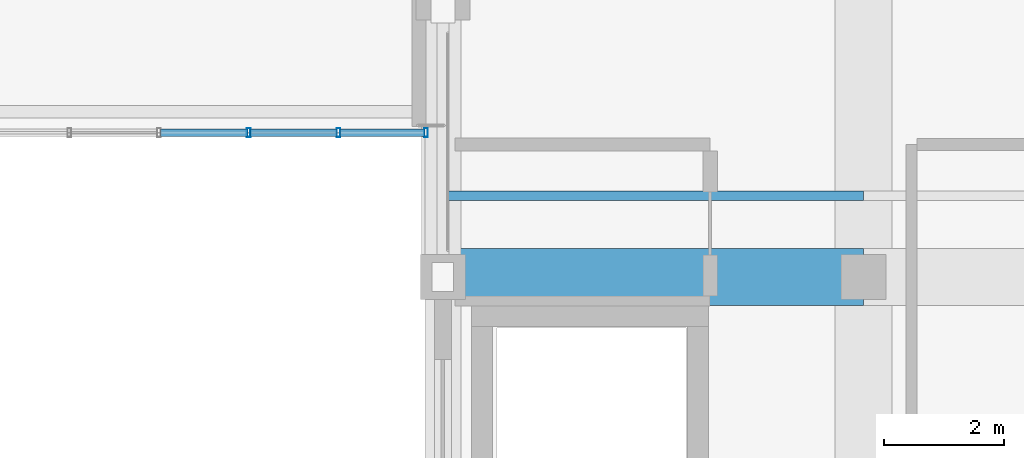
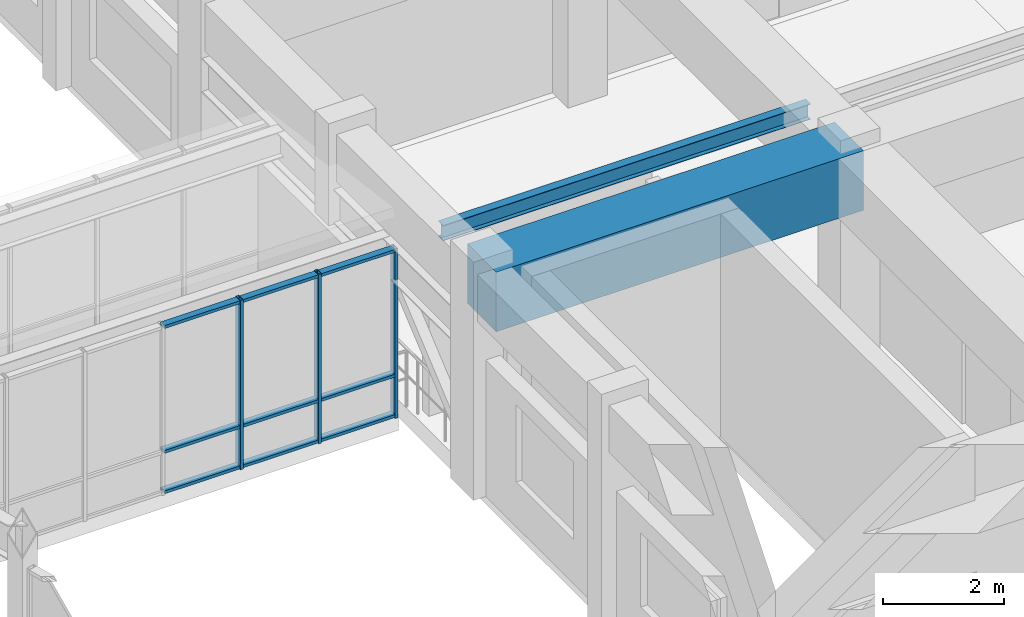
# One storey, part 45 of 99: 13 members, 1 beam, 1 element without a shape of its own.
"""IFC4 building model written with IfcOpenShell, lengths in metres."""

from ifc_helpers import new_model, si_unit, direction, frame, origin, origin_2d, place, context, subcontext, project, spatial, rectangle, hollow_rectangle, i_section, extrude, material, layer, layer_set, material_profile, profile_set, type_object, element, aggregate, save


model = new_model("IFC4")

# Units and contexts
model_context = context("Model", 3, precision=1e-05, world=origin(), true_north=direction((0.0, 1.0)))
body_context = subcontext(model_context, "Body", "Model", "MODEL_VIEW")
ifc_project = project(units=[si_unit("LENGTHUNIT", "METRE"), si_unit("AREAUNIT", "SQUARE_METRE"), si_unit("VOLUMEUNIT", "CUBIC_METRE"), si_unit("PLANEANGLEUNIT", "RADIAN"), si_unit("MASSUNIT", "GRAM", prefix="KILO")], contexts=[model_context])

# Site, building, storey
site_placement = place(None, origin())
site = spatial("IfcSite", under=ifc_project, at=site_placement, CompositionType="ELEMENT")
building_placement = place(site_placement, origin())
building = spatial("IfcBuilding", under=site, at=building_placement, Name="Ventoquebrada Cableway Terminal", CompositionType="ELEMENT")
storey_placement = place(building_placement, frame((0.0, 0.0, 9.60009765625)))
storey = spatial("IfcBuildingStorey", under=building, at=storey_placement, Name="L02", CompositionType="ELEMENT", Elevation=9.60009765625)

# Beam
ifc_material_1 = material(Name="Concrete C40/50", Category="concrete")
ifc_material_profile_1 = material_profile(ifc_material_1, rectangle(XDim=0.949951171875, YDim=1.199951171875, at=origin_2d()), Name="RC-BM-950X1200")
ifc_profile_set_1 = profile_set([ifc_material_profile_1], Name="Concrete C40/50")
beam_type = type_object("IfcBeamType", Name="BM-RC06", PredefinedType="BEAM", material=ifc_profile_set_1)
beam_placement = place(storey_placement, frame((95.0, 86.0, 3.929931640625), z_axis=(1.0, 0.0, 0.0), x_axis=(0.0, 1.0, 0.0)))
element("IfcBeam", 1, at=beam_placement, inside=storey, type_object=beam_type, Name="Primary frame girder FBM-0668", PredefinedType="BEAM", context=body_context, shape_type="SweptSolid", body=[
    extrude(rectangle(XDim=0.949951171875, YDim=1.199951171875, at=origin_2d()), origin(), (0.0, 0.0, 1.0), 7.0),
])

# Curtain wall, members
ifc_material_2 = material(Name="Anodized thermally-broken aluminium", Category="aluminium")
ifc_layer = layer(ifc_material_2, 0.159912109375)
ifc_layer_set = layer_set([ifc_layer], Name="Anodized thermally-broken aluminium")
curtain_wall_type = type_object("IfcCurtainWallType", Name="CW-T54", PredefinedType="USERDEFINED", material=ifc_layer_set)
curtain_wall_placement = place(storey_placement, origin())
curtain_wall = element("IfcCurtainWall", 2, at=curtain_wall_placement, inside=storey, type_object=curtain_wall_type, Name="Unitised glazed curtain wall CW-173", ObjectType="UNITISED CURTAIN WALL", PredefinedType="USERDEFINED")
ifc_material_profile_2 = material_profile(ifc_material_2, hollow_rectangle(XDim=0.06005859375, YDim=0.14990234375, WallThickness=0.00390625, at=origin_2d()), Name="CW-MUL-60X150")
ifc_profile_set_2 = profile_set([ifc_material_profile_2], Name="Anodized thermally-broken aluminium")
member_type_1 = type_object("IfcMemberType", Name="CWM-03", PredefinedType="MULLION", material=ifc_profile_set_2)
member_1_placement = place(storey_placement, frame((91.76904296875, 88.39990234375, -0.008056640625), z_axis=(0.0, 0.0, 1.0), x_axis=(1.0, 0.0, 0.0)))
member_1 = element("IfcMember", 3, at=member_1_placement, type_object=member_type_1, Name="Curtain wall mullion FML-0866", PredefinedType="MULLION", context=body_context, shape_type="SweptSolid", body=[
    extrude(hollow_rectangle(XDim=0.06005859375, YDim=0.14990234375, WallThickness=0.00390625, at=origin_2d()), origin(), (0.0, 0.0, 1.0), 3.412841796875),
])
member_2_placement = place(storey_placement, frame((93.261962890625, 88.39990234375, -0.008056640625), z_axis=(0.0, 0.0, 1.0), x_axis=(1.0, 0.0, 0.0)))
member_2 = element("IfcMember", 4, at=member_2_placement, type_object=member_type_1, Name="Curtain wall mullion FML-0867", PredefinedType="MULLION", context=body_context, shape_type="SweptSolid", body=[
    extrude(hollow_rectangle(XDim=0.06005859375, YDim=0.14990234375, WallThickness=0.00390625, at=origin_2d()), origin(), (0.0, 0.0, 1.0), 3.412841796875),
])
member_3_placement = place(storey_placement, frame((94.719970703125, 88.39990234375, -0.008056640625), z_axis=(0.0, 0.0, 1.0), x_axis=(1.0, 0.0, 0.0)))
member_3 = element("IfcMember", 5, at=member_3_placement, type_object=member_type_1, Name="Curtain wall mullion FML-0868", PredefinedType="MULLION", context=body_context, shape_type="SweptSolid", body=[
    extrude(hollow_rectangle(XDim=0.06005859375, YDim=0.14990234375, WallThickness=0.00390625, at=origin_2d()), origin(), (0.0, 0.0, 1.0), 3.412841796875),
])
ifc_material_profile_3 = material_profile(ifc_material_2, hollow_rectangle(XDim=0.06005859375, YDim=0.1298828125, WallThickness=0.00390625, at=origin_2d()), Name="CW-TRN-60X130")
ifc_profile_set_3 = profile_set([ifc_material_profile_3], Name="Anodized thermally-broken aluminium")
member_type_2 = type_object("IfcMemberType", Name="CWT-02", PredefinedType="USERDEFINED", material=ifc_profile_set_3)
member_4_placement = place(storey_placement, frame((90.301025390625, 88.39990234375, 0.034912109375), z_axis=(1.0, 0.0, 0.0), x_axis=(0.0, 0.0, 1.0)))
member_4 = element("IfcMember", 6, at=member_4_placement, type_object=member_type_2, Name="Curtain wall transom FTR-2525", ObjectType="TRANSOM", PredefinedType="USERDEFINED", context=body_context, shape_type="SweptSolid", body=[
    extrude(hollow_rectangle(XDim=0.06005859375, YDim=0.1298828125, WallThickness=0.00390625, at=origin_2d()), origin(), (0.0, 0.0, 1.0), 1.44287109375),
])
member_5_placement = place(storey_placement, frame((90.301025390625, 88.39990234375, 0.849853515625), z_axis=(1.0, 0.0, 0.0), x_axis=(0.0, 0.0, 1.0)))
member_5 = element("IfcMember", 7, at=member_5_placement, type_object=member_type_2, Name="Curtain wall transom FTR-2526", ObjectType="TRANSOM", PredefinedType="USERDEFINED", context=body_context, shape_type="SweptSolid", body=[
    extrude(hollow_rectangle(XDim=0.06005859375, YDim=0.1298828125, WallThickness=0.00390625, at=origin_2d()), origin(), (0.0, 0.0, 1.0), 1.44287109375),
])
member_6_placement = place(storey_placement, frame((90.301025390625, 88.39990234375, 3.364990234375), z_axis=(1.0, 0.0, 0.0), x_axis=(0.0, 0.0, 1.0)))
member_6 = element("IfcMember", 8, at=member_6_placement, type_object=member_type_2, Name="Curtain wall transom FTR-2527", ObjectType="TRANSOM", PredefinedType="USERDEFINED", context=body_context, shape_type="SweptSolid", body=[
    extrude(hollow_rectangle(XDim=0.06005859375, YDim=0.1298828125, WallThickness=0.00390625, at=origin_2d()), origin(), (0.0, 0.0, 1.0), 1.44287109375),
])
member_7_placement = place(storey_placement, frame((91.7939453125, 88.39990234375, 0.034912109375), z_axis=(1.0, 0.0, 0.0), x_axis=(0.0, 0.0, 1.0)))
member_7 = element("IfcMember", 9, at=member_7_placement, type_object=member_type_2, Name="Curtain wall transom FTR-2528", ObjectType="TRANSOM", PredefinedType="USERDEFINED", context=body_context, shape_type="SweptSolid", body=[
    extrude(hollow_rectangle(XDim=0.06005859375, YDim=0.1298828125, WallThickness=0.00390625, at=origin_2d()), origin(), (0.0, 0.0, 1.0), 1.443115234375),
])
member_8_placement = place(storey_placement, frame((91.7939453125, 88.39990234375, 0.849853515625), z_axis=(1.0, 0.0, 0.0), x_axis=(0.0, 0.0, 1.0)))
member_8 = element("IfcMember", 10, at=member_8_placement, type_object=member_type_2, Name="Curtain wall transom FTR-2529", ObjectType="TRANSOM", PredefinedType="USERDEFINED", context=body_context, shape_type="SweptSolid", body=[
    extrude(hollow_rectangle(XDim=0.06005859375, YDim=0.1298828125, WallThickness=0.00390625, at=origin_2d()), origin(), (0.0, 0.0, 1.0), 1.443115234375),
])
member_9_placement = place(storey_placement, frame((91.7939453125, 88.39990234375, 3.364990234375), z_axis=(1.0, 0.0, 0.0), x_axis=(0.0, 0.0, 1.0)))
member_9 = element("IfcMember", 11, at=member_9_placement, type_object=member_type_2, Name="Curtain wall transom FTR-2530", ObjectType="TRANSOM", PredefinedType="USERDEFINED", context=body_context, shape_type="SweptSolid", body=[
    extrude(hollow_rectangle(XDim=0.06005859375, YDim=0.1298828125, WallThickness=0.00390625, at=origin_2d()), origin(), (0.0, 0.0, 1.0), 1.443115234375),
])
member_10_placement = place(storey_placement, frame((93.287109375, 88.39990234375, 0.034912109375), z_axis=(1.0, 0.0, 0.0), x_axis=(0.0, 0.0, 1.0)))
member_10 = element("IfcMember", 12, at=member_10_placement, type_object=member_type_2, Name="Curtain wall transom FTR-2531", ObjectType="TRANSOM", PredefinedType="USERDEFINED", context=body_context, shape_type="SweptSolid", body=[
    extrude(hollow_rectangle(XDim=0.06005859375, YDim=0.1298828125, WallThickness=0.00390625, at=origin_2d()), origin(), (0.0, 0.0, 1.0), 1.407958984375),
])
member_11_placement = place(storey_placement, frame((93.287109375, 88.39990234375, 0.849853515625), z_axis=(1.0, 0.0, 0.0), x_axis=(0.0, 0.0, 1.0)))
member_11 = element("IfcMember", 13, at=member_11_placement, type_object=member_type_2, Name="Curtain wall transom FTR-2532", ObjectType="TRANSOM", PredefinedType="USERDEFINED", context=body_context, shape_type="SweptSolid", body=[
    extrude(hollow_rectangle(XDim=0.06005859375, YDim=0.1298828125, WallThickness=0.00390625, at=origin_2d()), origin(), (0.0, 0.0, 1.0), 1.407958984375),
])
member_12_placement = place(storey_placement, frame((93.287109375, 88.39990234375, 3.364990234375), z_axis=(1.0, 0.0, 0.0), x_axis=(0.0, 0.0, 1.0)))
member_12 = element("IfcMember", 14, at=member_12_placement, type_object=member_type_2, Name="Curtain wall transom FTR-2533", ObjectType="TRANSOM", PredefinedType="USERDEFINED", context=body_context, shape_type="SweptSolid", body=[
    extrude(hollow_rectangle(XDim=0.06005859375, YDim=0.1298828125, WallThickness=0.00390625, at=origin_2d()), origin(), (0.0, 0.0, 1.0), 1.407958984375),
])
aggregate(curtain_wall, [member_1, member_2, member_3, member_4, member_5, member_6, member_7, member_8, member_9, member_10, member_11, member_12])

# Member
ifc_material_3 = material(Name="Steel ASTM A992 Grade 50", Category="steel")
ifc_material_profile_4 = material_profile(ifc_material_3, i_section(OverallWidth=0.1650390625, OverallDepth=0.31005859375, WebThickness=0.005859375, FlangeThickness=0.009765625, at=origin_2d()), Name="W12X26")
ifc_profile_set_4 = profile_set([ifc_material_profile_4], Name="Steel ASTM A992 Grade 50")
member_type_3 = type_object("IfcMemberType", Name="PUR-RF05", PredefinedType="PURLIN", material=ifc_profile_set_4)
member_13_placement = place(storey_placement, frame((95.0, 87.35009765625, 4.260009765625), z_axis=(1.0, 0.0, 0.0), x_axis=(0.0, 1.0, 0.0)))
element("IfcMember", 15, at=member_13_placement, inside=storey, type_object=member_type_3, Name="Roof support purlin RPR-0495", PredefinedType="PURLIN", context=body_context, shape_type="SweptSolid", body=[
    extrude(i_section(OverallWidth=0.1650390625, OverallDepth=0.31005859375, WebThickness=0.005859375, FlangeThickness=0.009765625, at=origin_2d()), origin(), (0.0, 0.0, 1.0), 7.0),
])

save(model, "model.ifc")
